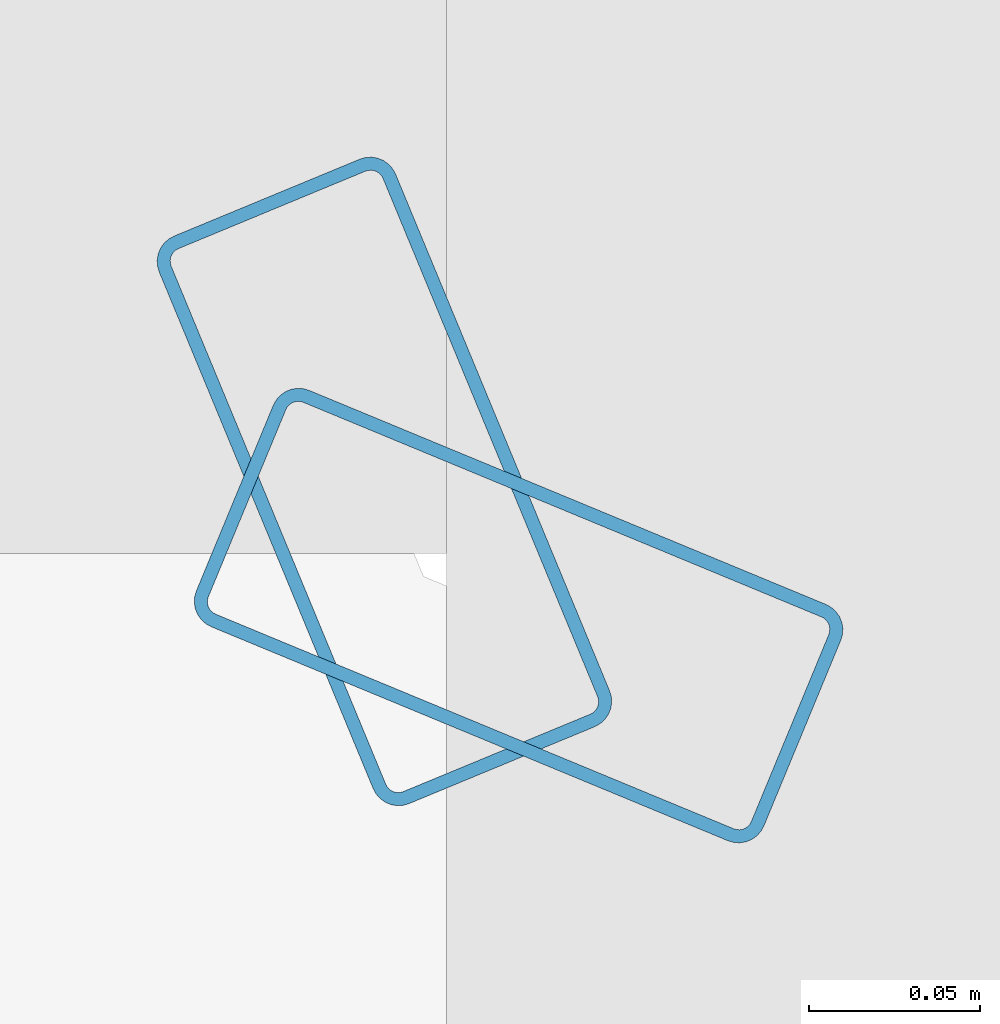
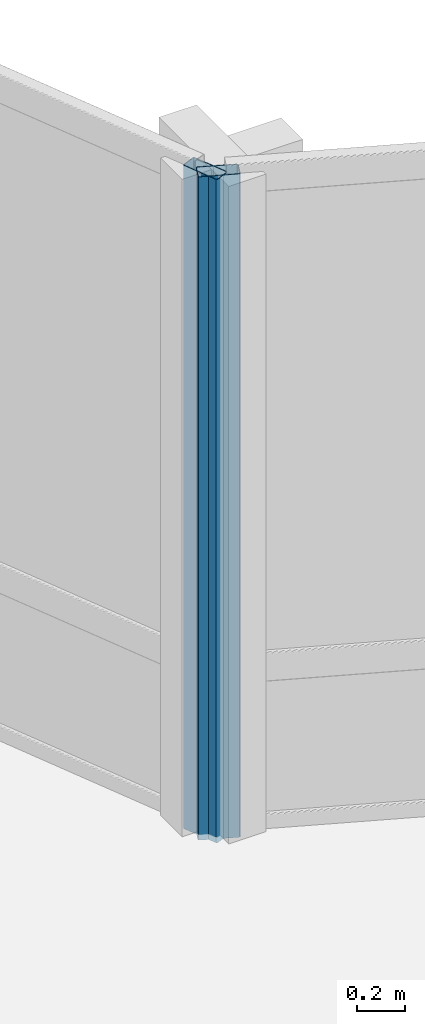
# One storey, part 8 of 27: 2 members, 2 elements without a shape of their own.
"""IFC4 building model written with IfcOpenShell, lengths in metres."""

from ifc_helpers import new_model, si_unit, direction, frame, origin, origin_2d, place, context, subcontext, project, spatial, hollow_rectangle, extrude, material, layer, layer_set, material_profile, profile_set, type_object, element, aggregate, save


model = new_model("IFC4")

# Units and contexts
model_context = context("Model", 3, precision=1e-05, world=origin(), true_north=direction((0.0, 1.0)))
body_context = subcontext(model_context, "Body", "Model", "MODEL_VIEW")
ifc_project = project(units=[si_unit("LENGTHUNIT", "METRE"), si_unit("AREAUNIT", "SQUARE_METRE"), si_unit("VOLUMEUNIT", "CUBIC_METRE"), si_unit("PLANEANGLEUNIT", "RADIAN"), si_unit("MASSUNIT", "GRAM", prefix="KILO")], contexts=[model_context])

# Site, building, storey
site_placement = place(None, origin())
site = spatial("IfcSite", under=ifc_project, at=site_placement, CompositionType="ELEMENT")
building_placement = place(site_placement, origin())
building = spatial("IfcBuilding", under=site, at=building_placement, Name="Solvaryn Broadcast Tower", CompositionType="ELEMENT")
storey_placement = place(building_placement, frame((0.0, 0.0, 192.699951171875)))
storey = spatial("IfcBuildingStorey", under=building, at=storey_placement, Name="L48", CompositionType="ELEMENT", Elevation=192.699951171875)

# Curtain wall, member
ifc_material_1 = material(Name="Aluminium and Terracotta Unitised Curtain Wall", Category="masonry")
ifc_layer = layer(ifc_material_1, 0.199951171875)
ifc_layer_set = layer_set([ifc_layer], Name="CW-SYS2-LOWMID")
curtain_wall_type = type_object("IfcCurtainWallType", Name="CW-SYS2-LOWMID", PredefinedType="NOTDEFINED", material=ifc_layer_set)
curtain_wall_1_placement = place(storey_placement, origin())
curtain_wall_1 = element("IfcCurtainWall", 1, at=curtain_wall_1_placement, inside=storey, type_object=curtain_wall_type, Name="L48 Curtain Wall CN1", PredefinedType="NOTDEFINED")
ifc_material_2 = material(Name="Anodised Aluminium 6063-T6", Category="aluminium")
ifc_material_profile = material_profile(ifc_material_2, hollow_rectangle(XDim=0.074951171875, YDim=0.179931640625, WallThickness=0.00390625, InnerFilletRadius=0.00390625, OuterFilletRadius=0.008056640625, at=origin_2d()))
ifc_profile_set = profile_set([ifc_material_profile], Name="Anodised Aluminium 6063-T6")
member_type = type_object("IfcMemberType", Name="CW-MUL-180", PredefinedType="MULLION", material=ifc_profile_set)
member_1_placement = place(storey_placement, frame((30.395751953125, 30.3564453125, 0.0), z_axis=(0.0, 0.0, 1.0), x_axis=(-0.382646127145, -0.923894983957, 0.0)))
member_1 = element("IfcMember", 2, at=member_1_placement, type_object=member_type, Name="CWS2 mullion 2", PredefinedType="MULLION", context=body_context, shape_type="SweptSolid", body=[
    extrude(hollow_rectangle(XDim=0.074951171875, YDim=0.179931640625, WallThickness=0.00390625, InnerFilletRadius=0.00390625, OuterFilletRadius=0.008056640625, at=origin_2d()), origin(), (0.0, 0.0, 1.0), 3.3701171875),
])
aggregate(curtain_wall_1, [member_1])

curtain_wall_2_placement = place(storey_placement, origin())
curtain_wall_2 = element("IfcCurtainWall", 3, at=curtain_wall_2_placement, inside=storey, type_object=curtain_wall_type, Name="L48 Curtain Wall CN2", PredefinedType="NOTDEFINED")
member_2_placement = place(storey_placement, frame((30.3564453125, 30.395751953125, 0.0), z_axis=(0.0, 0.0, 1.0), x_axis=(-0.923894983957, -0.382646127145, 0.0)))
member_2 = element("IfcMember", 4, at=member_2_placement, type_object=member_type, Name="CWS2 mullion 1", PredefinedType="MULLION", context=body_context, shape_type="SweptSolid", body=[
    extrude(hollow_rectangle(XDim=0.074951171875, YDim=0.179931640625, WallThickness=0.00390625, InnerFilletRadius=0.00390625, OuterFilletRadius=0.008056640625, at=origin_2d()), origin(), (0.0, 0.0, 1.0), 3.3701171875),
])
aggregate(curtain_wall_2, [member_2])

save(model, "model.ifc")
